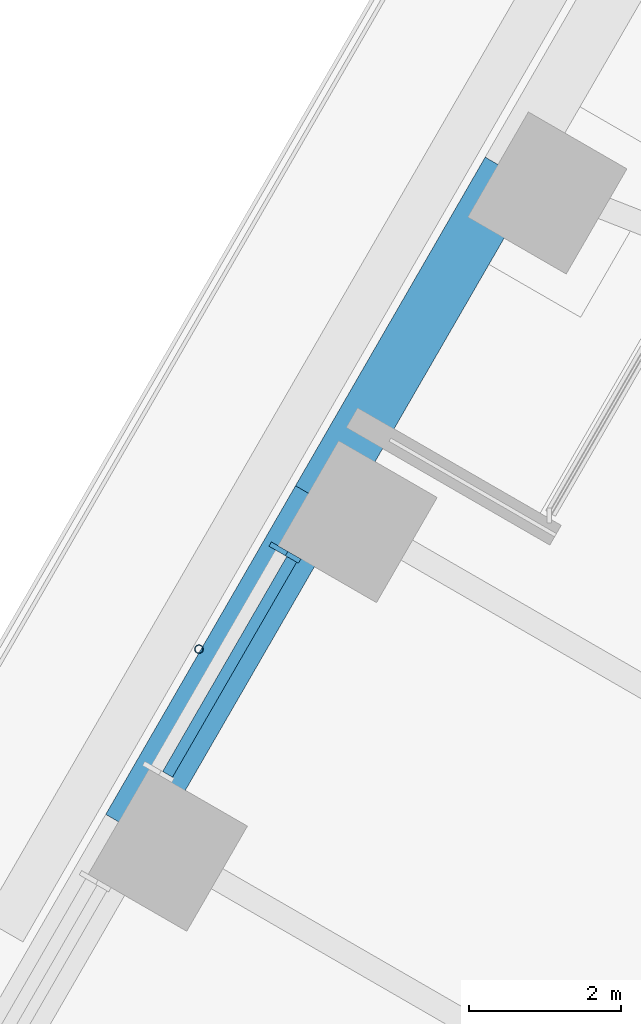
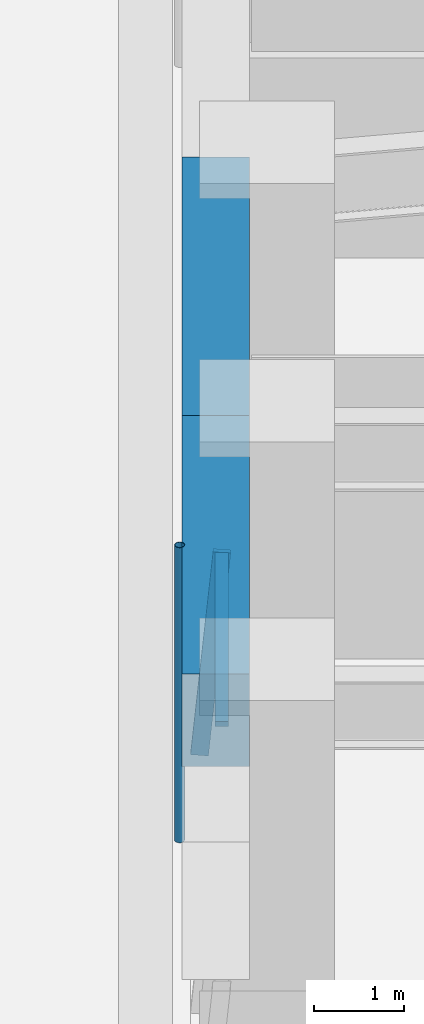
# One storey, part 7 of 24: 3 members, 2 beams, 1 element without a shape of its own.
"""IFC4 building model written with IfcOpenShell, lengths in metres."""

from ifc_helpers import new_model, si_unit, direction, frame, origin, origin_2d, place, context, subcontext, project, spatial, rectangle, hollow_circle, extrude, material, material_profile, profile_set, type_object, element, aggregate, save


model = new_model("IFC4")

# Units and contexts
model_context = context("Model", 3, precision=1e-05, world=origin(), true_north=direction((0.0, 1.0)))
body_context = subcontext(model_context, "Body", "Model", "MODEL_VIEW")
ifc_project = project(units=[si_unit("LENGTHUNIT", "METRE"), si_unit("AREAUNIT", "SQUARE_METRE"), si_unit("VOLUMEUNIT", "CUBIC_METRE"), si_unit("PLANEANGLEUNIT", "RADIAN"), si_unit("MASSUNIT", "GRAM", prefix="KILO")], contexts=[model_context])

# Site, building, storey
site_placement = place(None, origin())
site = spatial("IfcSite", under=ifc_project, at=site_placement, CompositionType="ELEMENT")
building_placement = place(site_placement, origin())
building = spatial("IfcBuilding", under=site, at=building_placement, Name="Tarfa Lantern Tower", CompositionType="ELEMENT")
storey_placement = place(building_placement, frame((0.0, 0.0, 153.10009765625)))
storey = spatial("IfcBuildingStorey", under=building, at=storey_placement, Name="L34", CompositionType="ELEMENT", Elevation=153.10009765625)

# Curtain wall, members
ifc_material_1 = material(Name="Aluminium framed curtain wall", Category="aluminium")
curtain_wall_type = type_object("IfcCurtainWallType", Name="CW2 CANTED GLAZING MID ZONE 2750", PredefinedType="USERDEFINED", material=ifc_material_1)
curtain_wall_placement = place(storey_placement, origin())
curtain_wall = element("IfcCurtainWall", 1, at=curtain_wall_placement, inside=storey, type_object=curtain_wall_type, Name="CW2 NWB L34", ObjectType="CURTAIN WALL", PredefinedType="USERDEFINED")
ifc_material_2 = material(Name="Aluminium mullion", Category="aluminium")
ifc_material_profile_1 = material_profile(ifc_material_2, rectangle(XDim=0.06494140625, YDim=0.199951171875, at=origin_2d()), Name="AL MULLION 65x200")
ifc_profile_set_1 = profile_set([ifc_material_profile_1], Name="Aluminium mullion")
member_type_1 = type_object("IfcMemberType", Name="CWM1 MULLION 65x200", PredefinedType="MULLION", material=ifc_profile_set_1)
member_1_placement = place(storey_placement, frame((-30.111328125, 10.645751953125, 0.0), z_axis=(0.078422950161, -0.045267813396, 0.995891894715), x_axis=(0.499919672301, 0.866071776036, 0.0)))
member_1 = element("IfcMember", 2, at=member_1_placement, type_object=member_type_1, Name="CW2 mullion 1", PredefinedType="MULLION", context=body_context, shape_type="SweptSolid", body=[
    extrude(rectangle(XDim=0.06494140625, YDim=0.199951171875, at=origin_2d()), origin(), (0.0, 0.0, 1.0), 2.76123046875),
])
ifc_material_3 = material(Name="Aluminium transom", Category="aluminium")
ifc_material_profile_2 = material_profile(ifc_material_3, rectangle(XDim=0.14990234375, YDim=0.06494140625, at=origin_2d()), Name="AL TRANSOM 150x65")
ifc_profile_set_2 = profile_set([ifc_material_profile_2], Name="Aluminium transom")
member_type_2 = type_object("IfcMemberType", Name="CWT1 TRANSOM 150x65", PredefinedType="USERDEFINED", material=ifc_profile_set_2)
member_2_placement = place(storey_placement, frame((-29.91357421875, 10.494140625, 2.71728515625), z_axis=(-0.500012937857, -0.86601793398, 0.0), x_axis=(0.86601793398, -0.500012937857, 0.0)))
member_2 = element("IfcMember", 3, at=member_2_placement, type_object=member_type_2, Name="CW2 transom 1.2", ObjectType="TRANSOM", PredefinedType="USERDEFINED", context=body_context, shape_type="SweptSolid", body=[
    extrude(rectangle(XDim=0.14990234375, YDim=0.06494140625, at=origin_2d()), origin(), (0.0, 0.0, 1.0), 3.27392578125),
])
aggregate(curtain_wall, [member_1, member_2])

# Beams
ifc_material_4 = material(Name="Concrete C80/95", Category="concrete")
ifc_material_profile_3 = material_profile(ifc_material_4, rectangle(XDim=0.75, YDim=1.25, at=origin_2d()), Name="RC 750x1250")
ifc_profile_set_3 = profile_set([ifc_material_profile_3], Name="Concrete C80/95")
beam_type = type_object("IfcBeamType", Name="EB2 RC 750x1250", PredefinedType="SPANDREL", material=ifc_profile_set_3)
for number, where, z_axis, x_axis, name in (
    (4, (-27.037353515625, 15.610107421875, 3.375), (-0.499964603504, -0.866045838996, 0.0), (0.866045838996, -0.499964603504, 0.0), "Edge beam NW3"),
    (5, (-29.5390625, 11.276611328125, 3.375), (-0.500022324899, -0.866012514114, 0.0), (0.866012514114, -0.500022324899, 0.0), "Edge beam NW4"),
):
    element("IfcBeam", number, at=place(storey_placement, frame(where, z_axis=z_axis, x_axis=x_axis)), inside=storey, type_object=beam_type, Name=name, PredefinedType="SPANDREL", context=body_context, shape_type="SweptSolid", body=[
        extrude(rectangle(XDim=0.75, YDim=1.25, at=origin_2d()), origin(), (0.0, 0.0, 1.0), 5.003662109375),
    ])

# Member
ifc_material_5 = material(Name="Steel S355", Category="steel")
ifc_material_profile_4 = material_profile(ifc_material_5, hollow_circle(Radius=0.05712890625, WallThickness=0.00634765625, at=origin_2d()), Name="CHS114.3x6.3")
ifc_profile_set_4 = profile_set([ifc_material_profile_4], Name="Steel S355")
member_type_3 = type_object("IfcMemberType", Name="TR1 GREEN WALL TRELLIS CHS114.3x6.3", PredefinedType="USERDEFINED", material=ifc_profile_set_4)
member_3_placement = place(storey_placement, frame((-31.136474609375, 9.31005859375, 0.0), z_axis=(0.0, 0.0, 1.0), x_axis=(1.0, 0.0, 0.0)))
element("IfcMember", 6, at=member_3_placement, inside=storey, type_object=member_type_3, Name="Trellis post NW 2", ObjectType="TRELLIS", PredefinedType="USERDEFINED", context=body_context, shape_type="SweptSolid", body=[
    extrude(hollow_circle(Radius=0.05712890625, WallThickness=0.00634765625, at=origin_2d()), origin(), (0.0, 0.0, 1.0), 4.0),
])

save(model, "model.ifc")
